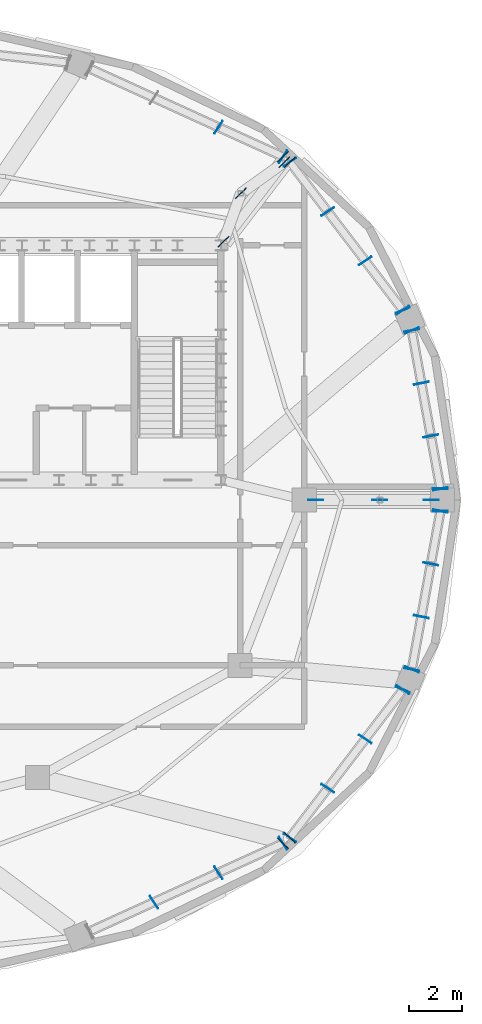
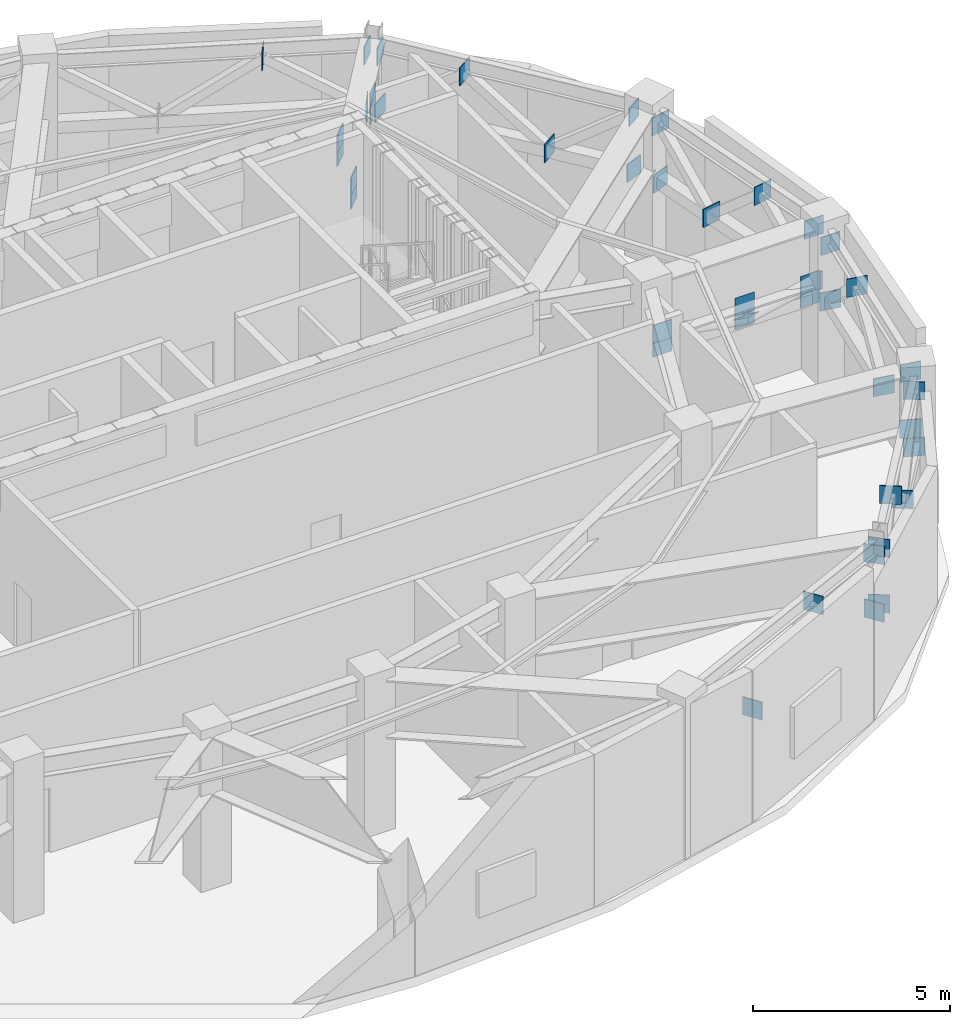
# One storey, part 8 of 15: 43 plates.
"""IFC4 building model written with IfcOpenShell, lengths in metres."""

from ifc_helpers import new_model, si_unit, direction, frame, origin, origin_2d, place, context, subcontext, project, spatial, rectangle, extrude, material, layer, layer_set, type_object, element, save


model = new_model("IFC4")

# Units and contexts
model_context = context("Model", 3, precision=1e-05, world=origin(), true_north=direction((0.0, 1.0)))
body_context = subcontext(model_context, "Body", "Model", "MODEL_VIEW")
ifc_project = project(units=[si_unit("LENGTHUNIT", "METRE"), si_unit("AREAUNIT", "SQUARE_METRE"), si_unit("VOLUMEUNIT", "CUBIC_METRE"), si_unit("PLANEANGLEUNIT", "RADIAN"), si_unit("MASSUNIT", "GRAM", prefix="KILO")], contexts=[model_context])

# Site, building, storey
site_placement = place(None, origin())
site = spatial("IfcSite", under=ifc_project, at=site_placement, CompositionType="ELEMENT")
building_placement = place(site_placement, origin())
building = spatial("IfcBuilding", under=site, at=building_placement, Name="Haldorwick Loom Tower", CompositionType="ELEMENT")
storey_placement = place(building_placement, frame((0.0, 0.0, 286.5)))
storey = spatial("IfcBuildingStorey", under=building, at=storey_placement, Name="L77", CompositionType="ELEMENT", Elevation=286.5)

# Plates
ifc_material = material(Name="Steel CSA G40.21 350W", Category="steel")
ifc_layer = layer(ifc_material, 0.028076171875, Name="Steel CSA G40.21 350W", Category="steel")
ifc_layer_set = layer_set([ifc_layer], Name="Steel CSA G40.21 350W")
plate_type = type_object("IfcPlateType", Name="STR-PLT-GUS28", PredefinedType="SHEET", material=ifc_layer_set)
for number, where, z_axis, x_axis, name in (
    (1, (58.30517578125, 26.418212890625, 2.219970703125), (0.0, 0.0, 1.0), (0.980785280403, 0.195090322016, 0.0), "L77 Truss Node Gusset Plate PLT-L77-BGUS-00-0A"),
    (2, (57.947509765625, 28.397216796875, 3.973876953125), (0.0, 0.0, 1.0), (0.980785280403, 0.195090322016, 0.0), "L77 Truss Node Gusset Plate PLT-L77-BGUS-00-0B"),
    (3, (57.590087890625, 30.376220703125, 2.219970703125), (0.0, 0.0, 1.0), (0.980785280403, 0.195090322016, 0.0), "L77 Truss Node Gusset Plate PLT-L77-BGUS-00-1B"),
    (4, (57.232421875, 32.355224609375, 3.973876953125), (0.0, 0.0, 1.0), (0.980785280403, 0.195090322016, 0.0), "L77 Truss Node Gusset Plate PLT-L77-BGUS-00-2B"),
    (5, (58.30517578125, 26.418212890625, 3.973876953125), (0.0, 0.0, 1.0), (1.0, 0.0, 0.0), "L77 Truss Node Gusset Plate PLT-L77-BGUS-00B"),
    (6, (57.232421875, 32.355224609375, 2.219970703125), (0.0, 0.0, 1.0), (0.923879532511, 0.382683432365, 0.0), "L77 Truss Node Gusset Plate PLT-L77-BGUS-00C"),
    (7, (56.899169921875, 33.111572265625, 3.973876953125), (0.0, 0.0, 1.0), (0.831469612303, 0.55557023302, 0.0), "L77 Truss Node Gusset Plate PLT-L77-BGUS-01-0A"),
    (8, (55.4873046875, 34.962890625, 2.219970703125), (0.0, 0.0, 1.0), (0.831469612303, 0.55557023302, 0.0), "L77 Truss Node Gusset Plate PLT-L77-BGUS-01-0B"),
    (9, (54.07568359375, 36.814208984375, 3.973876953125), (0.0, 0.0, 1.0), (0.831469612303, 0.55557023302, 0.0), "L77 Truss Node Gusset Plate PLT-L77-BGUS-01-1B"),
    (10, (52.663818359375, 38.66552734375, 2.219970703125), (0.0, 0.0, 1.0), (0.831469612303, 0.55557023302, 0.0), "L77 Truss Node Gusset Plate PLT-L77-BGUS-01-2B"),
    (11, (56.899169921875, 33.111572265625, 2.219970703125), (0.0, 0.0, 1.0), (0.923879532511, 0.382683432365, 0.0), "L77 Truss Node Gusset Plate PLT-L77-BGUS-01A"),
    (12, (52.663818359375, 38.66552734375, 3.973876953125), (0.0, 0.0, 1.0), (0.707106781187, 0.707106781187, 0.0), "L77 Truss Node Gusset Plate PLT-L77-BGUS-01D"),
    (13, (52.40380859375, 38.873046875, 2.219970703125), (0.0, 0.0, 1.0), (0.55557023302, 0.831469612303, 0.0), "L77 Truss Node Gusset Plate PLT-L77-BGUS-02-0A"),
    (14, (49.986083984375, 39.974365234375, 3.973876953125), (0.0, 0.0, 1.0), (0.55557023302, 0.831469612303, 0.0), "L77 Truss Node Gusset Plate PLT-L77-BGUS-02-0B"),
    (15, (52.40380859375, 38.873046875, 3.973876953125), (0.0, 0.0, 1.0), (0.707106781187, 0.707106781187, 0.0), "L77 Truss Node Gusset Plate PLT-L77-BGUS-02B"),
    (16, (47.568115234375, 10.924560546875, 2.219970703125), (0.0, 0.0, 1.0), (0.55557023302, -0.831469612303, 0.0), "L77 Truss Node Gusset Plate PLT-L77-BGUS-13-0B"),
    (17, (49.986083984375, 12.025634765625, 3.973876953125), (0.0, 0.0, 1.0), (0.55557023302, -0.831469612303, 0.0), "L77 Truss Node Gusset Plate PLT-L77-BGUS-13-1B"),
    (18, (52.40380859375, 13.126953125, 2.219970703125), (0.0, 0.0, 1.0), (0.55557023302, -0.831469612303, 0.0), "L77 Truss Node Gusset Plate PLT-L77-BGUS-13-2B"),
    (19, (52.40380859375, 13.126953125, 3.973876953125), (0.0, 0.0, 1.0), (0.707106781187, -0.707106781187, 0.0), "L77 Truss Node Gusset Plate PLT-L77-BGUS-13D"),
    (20, (52.663818359375, 13.33447265625, 2.219970703125), (0.0, 0.0, 1.0), (0.831469612303, -0.55557023302, 0.0), "L77 Truss Node Gusset Plate PLT-L77-BGUS-14-0A"),
    (21, (54.07568359375, 15.185791015625, 3.973876953125), (0.0, 0.0, 1.0), (0.831469612303, -0.55557023302, 0.0), "L77 Truss Node Gusset Plate PLT-L77-BGUS-14-0B"),
    (22, (55.4873046875, 17.037109375, 2.219970703125), (0.0, 0.0, 1.0), (0.831469612303, -0.55557023302, 0.0), "L77 Truss Node Gusset Plate PLT-L77-BGUS-14-1B"),
    (23, (56.899169921875, 18.888427734375, 3.973876953125), (0.0, 0.0, 1.0), (0.831469612303, -0.55557023302, 0.0), "L77 Truss Node Gusset Plate PLT-L77-BGUS-14-2B"),
    (24, (52.663818359375, 13.33447265625, 3.973876953125), (0.0, 0.0, 1.0), (0.707106781187, -0.707106781187, 0.0), "L77 Truss Node Gusset Plate PLT-L77-BGUS-14B"),
    (25, (56.899169921875, 18.888427734375, 2.219970703125), (0.0, 0.0, 1.0), (0.923879532511, -0.382683432365, 0.0), "L77 Truss Node Gusset Plate PLT-L77-BGUS-14C"),
    (26, (57.232421875, 19.644775390625, 3.973876953125), (0.0, 0.0, 1.0), (-0.980785280403, 0.195090322016, 0.0), "L77 Truss Node Gusset Plate PLT-L77-BGUS-15-0A"),
    (27, (57.590087890625, 21.623779296875, 2.219970703125), (0.0, 0.0, 1.0), (-0.980785280403, 0.195090322016, 0.0), "L77 Truss Node Gusset Plate PLT-L77-BGUS-15-0B"),
    (28, (57.947509765625, 23.602783203125, 3.973876953125), (0.0, 0.0, 1.0), (-0.980785280403, 0.195090322016, 0.0), "L77 Truss Node Gusset Plate PLT-L77-BGUS-15-1B"),
    (29, (58.30517578125, 25.581787109375, 2.219970703125), (0.0, 0.0, 1.0), (-0.980785280403, 0.195090322016, 0.0), "L77 Truss Node Gusset Plate PLT-L77-BGUS-15-2B"),
    (30, (57.232421875, 19.644775390625, 2.219970703125), (0.0, 0.0, 1.0), (0.923879532511, -0.382683432365, 0.0), "L77 Truss Node Gusset Plate PLT-L77-BGUS-15A"),
    (31, (58.30517578125, 25.581787109375, 3.973876953125), (0.0, 0.0, 1.0), (1.0, 0.0, 0.0), "L77 Truss Node Gusset Plate PLT-L77-BGUS-15D"),
    (32, (53.625, 26.0, 2.219970703125), (0.0, 0.0, 1.0), (1.0, 0.0, 0.0), "L77 Truss Node Gusset Plate PLT-L77-OT-E-CB0"),
    (33, (53.625, 26.0, 2.639892578125), (0.0, 0.0, 1.0), (1.0, 0.0, 0.0), "L77 Truss Node Gusset Plate PLT-L77-OT-E-CT0"),
    (34, (56.03369140625, 26.0, 2.219970703125), (0.0, 0.0, 1.0), (1.0, 0.0, 0.0), "L77 Truss Node Gusset Plate PLT-L77-OT-E-MB0"),
    (35, (56.03369140625, 26.0, 2.639892578125), (0.0, 0.0, 1.0), (1.0, 0.0, 0.0), "L77 Truss Node Gusset Plate PLT-L77-OT-E-MT0"),
    (36, (57.955810546875, 26.0, 2.219970703125), (0.0, 0.0, 1.0), (1.0, 0.0, 0.0), "L77 Truss Node Gusset Plate PLT-L77-OT-E-PB0"),
    (37, (57.955810546875, 26.0, 2.639892578125), (0.0, 0.0, 1.0), (1.0, 0.0, 0.0), "L77 Truss Node Gusset Plate PLT-L77-OT-E-PT0"),
    (38, (50.17431640625, 35.686279296875, 2.219970703125), (0.0, 0.0, 1.0), (0.707106781187, 0.707106781187, 0.0), "L77 Truss Node Gusset Plate PLT-L77-OT-NE-CB0"),
    (39, (50.17431640625, 35.686279296875, 2.639892578125), (0.0, 0.0, 1.0), (0.707106781187, 0.707106781187, 0.0), "L77 Truss Node Gusset Plate PLT-L77-OT-NE-CT0"),
    (40, (50.825439453125, 37.501220703125, 2.219970703125), (0.0, 0.0, 1.0), (0.707106781187, 0.707106781187, 0.0), "L77 Truss Node Gusset Plate PLT-L77-OT-NE-MB0"),
    (41, (50.825439453125, 37.501220703125, 2.639892578125), (0.0, 0.0, 1.0), (0.707106781187, 0.707106781187, 0.0), "L77 Truss Node Gusset Plate PLT-L77-OT-NE-MT0"),
    (42, (52.45556640625, 38.665771484375, 2.219970703125), (0.0, 0.0, 1.0), (0.707106781187, 0.707106781187, 0.0), "L77 Truss Node Gusset Plate PLT-L77-OT-NE-PB0"),
    (43, (52.45556640625, 38.665771484375, 2.639892578125), (0.0, 0.0, 1.0), (0.707106781187, 0.707106781187, 0.0), "L77 Truss Node Gusset Plate PLT-L77-OT-NE-PT0"),
):
    element("IfcPlate", number, at=place(storey_placement, frame(where, z_axis=z_axis, x_axis=x_axis)), inside=storey, type_object=plate_type, Name=name, PredefinedType="SHEET", context=body_context, shape_type="SweptSolid", body=[
        extrude(rectangle(XDim=0.56005859375, YDim=0.028076171875, at=origin_2d()), origin(), (0.0, 0.0, 1.0), 0.56005859375),
    ])

save(model, "model.ifc")
